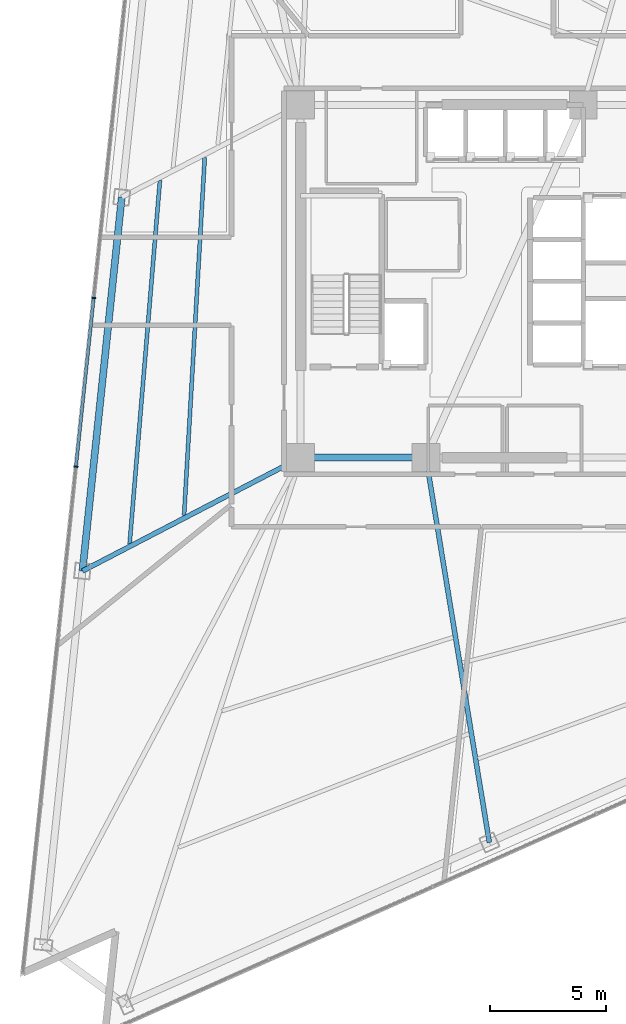
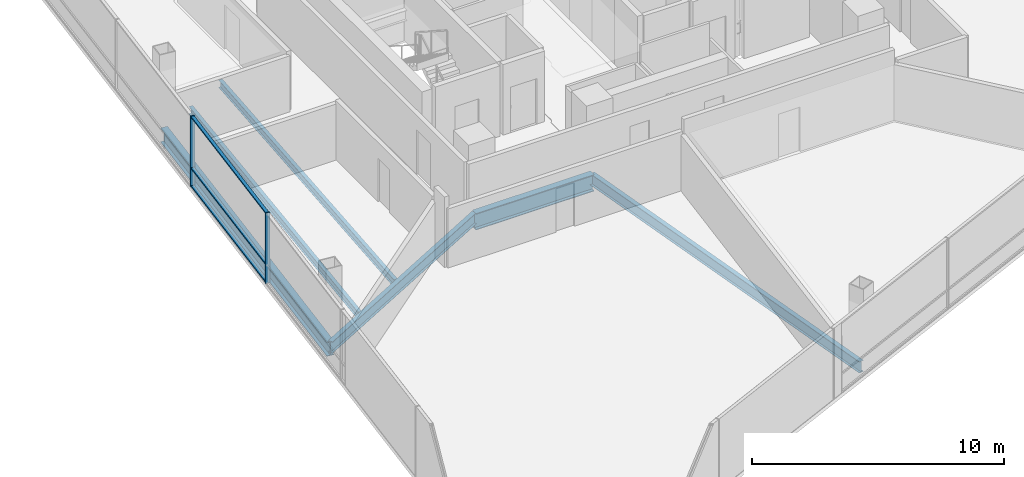
# One storey, part 4 of 17: 6 beams, 5 members, 1 element without a shape of its own.
"""IFC4 building model written with IfcOpenShell, lengths in metres."""

from ifc_helpers import new_model, si_unit, direction, frame, origin, origin_2d, place, context, subcontext, project, spatial, rectangle, i_section, extrude, material, layer, layer_set, material_profile, profile_set, type_object, element, aggregate, save


model = new_model("IFC4")

# Units and contexts
model_context = context("Model", 3, precision=1e-05, world=origin(), true_north=direction((0.0, 1.0)))
body_context = subcontext(model_context, "Body", "Model", "MODEL_VIEW")
ifc_project = project(units=[si_unit("LENGTHUNIT", "METRE"), si_unit("AREAUNIT", "SQUARE_METRE"), si_unit("VOLUMEUNIT", "CUBIC_METRE"), si_unit("PLANEANGLEUNIT", "RADIAN"), si_unit("MASSUNIT", "GRAM", prefix="KILO")], contexts=[model_context])

# Site, building, storey
site_placement = place(None, origin())
site = spatial("IfcSite", under=ifc_project, at=site_placement, CompositionType="ELEMENT")
building_placement = place(site_placement, origin())
building = spatial("IfcBuilding", under=site, at=building_placement, Name="Tharavind Bronze Gate", CompositionType="ELEMENT")
storey_placement = place(building_placement, frame((0.0, 0.0, 119.64990234375)))
storey = spatial("IfcBuildingStorey", under=building, at=storey_placement, Name="L30", CompositionType="ELEMENT", Elevation=119.64990234375)

# Curtain wall, members
ifc_material_1 = material(Name="Anodised Bronze Aluminium", Category="aluminium")
ifc_layer = layer(ifc_material_1, 0.219970703125)
ifc_layer_set = layer_set([ifc_layer], Name="Anodised Bronze Aluminium")
curtain_wall_type = type_object("IfcCurtainWallType", Name="UNITISED CURTAIN WALL LOWER OFFICE", PredefinedType="USERDEFINED", material=ifc_layer_set)
curtain_wall_placement = place(storey_placement, origin())
curtain_wall = element("IfcCurtainWall", 1, at=curtain_wall_placement, inside=storey, type_object=curtain_wall_type, Name="L30 unitised curtain wall lower office CW-L30-S1", ObjectType="UNITISED CURTAIN WALL", PredefinedType="USERDEFINED")
member_type_1 = type_object("IfcMemberType", Name="CURTAIN WALL BRONZE MULLION 65X180", PredefinedType="MULLION", material=ifc_material_1)
member_1_placement = place(storey_placement, frame((-17.82080078125, -0.71826171875, 0.0), z_axis=(0.0, 0.0, 1.0), x_axis=(-0.104526727499, -0.994522077803, 0.0)))
member_1 = element("IfcMember", 2, at=member_1_placement, type_object=member_type_1, Name="CW-L30-S1 mullion 4", PredefinedType="MULLION", context=body_context, shape_type="SweptSolid", body=[
    extrude(rectangle(XDim=0.06494140625, YDim=0.179931640625, at=origin_2d()), origin(), (0.0, 0.0, 1.0), 3.409912109375),
])
member_2_placement = place(storey_placement, frame((-18.58544921875, -7.991455078125, 0.0), z_axis=(0.0, 0.0, 1.0), x_axis=(-0.104526727499, -0.994522077803, 0.0)))
member_2 = element("IfcMember", 3, at=member_2_placement, type_object=member_type_1, Name="CW-L30-S1 mullion 5", PredefinedType="MULLION", context=body_context, shape_type="SweptSolid", body=[
    extrude(rectangle(XDim=0.06494140625, YDim=0.179931640625, at=origin_2d()), origin(), (0.0, 0.0, 1.0), 3.409912109375),
])
member_type_2 = type_object("IfcMemberType", Name="CURTAIN WALL BRONZE TRANSOM 65X140", PredefinedType="USERDEFINED", material=ifc_material_1)
member_3_placement = place(storey_placement, frame((-18.203125, -4.354736328125, 0.000244140625), z_axis=(0.0, 0.0, 1.0), x_axis=(-0.104526727499, -0.994522077803, 0.0)))
member_3 = element("IfcMember", 4, at=member_3_placement, type_object=member_type_2, Name="CW-L30-S1 transom TB4", ObjectType="TRANSOM", PredefinedType="USERDEFINED", context=body_context, shape_type="SweptSolid", body=[
    extrude(rectangle(XDim=7.26025390625, YDim=0.139892578125, at=origin_2d()), origin(), (0.0, 0.0, 1.0), 0.06494140625),
])
member_4_placement = place(storey_placement, frame((-18.203125, -4.354736328125, 0.86767578125), z_axis=(0.0, 0.0, 1.0), x_axis=(-0.104526727499, -0.994522077803, 0.0)))
member_4 = element("IfcMember", 5, at=member_4_placement, type_object=member_type_2, Name="CW-L30-S1 transom TS4", ObjectType="TRANSOM", PredefinedType="USERDEFINED", context=body_context, shape_type="SweptSolid", body=[
    extrude(rectangle(XDim=7.26025390625, YDim=0.139892578125, at=origin_2d()), origin(), (0.0, 0.0, 1.0), 0.06494140625),
])
member_5_placement = place(storey_placement, frame((-18.203125, -4.354736328125, 3.34521484375), z_axis=(0.0, 0.0, 1.0), x_axis=(-0.104526727499, -0.994522077803, 0.0)))
member_5 = element("IfcMember", 6, at=member_5_placement, type_object=member_type_2, Name="CW-L30-S1 transom TT4", ObjectType="TRANSOM", PredefinedType="USERDEFINED", context=body_context, shape_type="SweptSolid", body=[
    extrude(rectangle(XDim=7.26025390625, YDim=0.139892578125, at=origin_2d()), origin(), (0.0, 0.0, 1.0), 0.06494140625),
])
aggregate(curtain_wall, [member_1, member_2, member_3, member_4, member_5])

# Beams
ifc_material_2 = material(Name="Steel S355", Category="steel")
ifc_material_profile_1 = material_profile(ifc_material_2, i_section(OverallWidth=0.2099609375, OverallDepth=0.550048828125, WebThickness=0.010986328125, FlangeThickness=0.01708984375, at=origin_2d()), Name="IPE550")
ifc_profile_set_1 = profile_set([ifc_material_profile_1], Name="Steel S355")
beam_type_1 = type_object("IfcBeamType", Name="PRIMARY GIRDER IPE550", PredefinedType="USERDEFINED", material=ifc_profile_set_1)
beam_1_placement = place(storey_placement, frame((-18.303955078125, -12.488037109375, -0.46484375), z_axis=(0.887300514785, 0.46119171335, 0.0), x_axis=(-0.46119171335, 0.887300514785, 0.0)))
element("IfcBeam", 7, at=beam_1_placement, inside=storey, type_object=beam_type_1, Name="L30 primary girder ipe550 BM-L30-RAD03", ObjectType="GIRDER", PredefinedType="USERDEFINED", context=body_context, shape_type="SweptSolid", body=[
    extrude(i_section(OverallWidth=0.2099609375, OverallDepth=0.550048828125, WebThickness=0.010986328125, FlangeThickness=0.01708984375, at=origin_2d()), origin(), (0.0, 0.0, 1.0), 10.598388671875),
])
beam_2_placement = place(storey_placement, frame((-0.766357421875, -24.18798828125, -0.46484375), z_axis=(-0.162604251404, 0.986691368882, 0.0), x_axis=(-0.986691368882, -0.162604251404, 0.0)))
element("IfcBeam", 8, at=beam_2_placement, inside=storey, type_object=beam_type_1, Name="L30 primary girder ipe550 BM-L30-RAD06", ObjectType="GIRDER", PredefinedType="USERDEFINED", context=body_context, shape_type="SweptSolid", body=[
    extrude(i_section(OverallWidth=0.2099609375, OverallDepth=0.550048828125, WebThickness=0.010986328125, FlangeThickness=0.01708984375, at=origin_2d()), origin(), (0.0, 0.0, 1.0), 16.8115234375),
])
ifc_material_profile_2 = material_profile(ifc_material_2, i_section(OverallWidth=0.300048828125, OverallDepth=0.699951171875, WebThickness=0.01708984375, FlangeThickness=0.031982421875, at=origin_2d()), Name="HE700B")
ifc_profile_set_2 = profile_set([ifc_material_profile_2], Name="Steel S355")
beam_type_2 = type_object("IfcBeamType", Name="RING GIRDER HE700B", PredefinedType="USERDEFINED", material=ifc_profile_set_2)
beam_3_placement = place(storey_placement, frame((-16.610595703125, 3.62158203125, -0.539794921875), z_axis=(-0.104538854147, -0.994520803188, 0.0), x_axis=(0.994520803188, -0.104538854147, 0.0)))
element("IfcBeam", 9, at=beam_3_placement, inside=storey, type_object=beam_type_2, Name="L30 ring girder he700b BM-L30-PRG02", ObjectType="GIRDER", PredefinedType="USERDEFINED", context=body_context, shape_type="SweptSolid", body=[
    extrude(i_section(OverallWidth=0.300048828125, OverallDepth=0.699951171875, WebThickness=0.01708984375, FlangeThickness=0.031982421875, at=origin_2d()), origin(), (0.0, 0.0, 1.0), 16.198486328125),
])
ifc_material_profile_3 = material_profile(ifc_material_2, i_section(OverallWidth=0.300048828125, OverallDepth=0.800048828125, WebThickness=0.017578125, FlangeThickness=0.032958984375, at=origin_2d()), Name="HE800B")
ifc_profile_set_3 = profile_set([ifc_material_profile_3], Name="Steel S355")
beam_type_3 = type_object("IfcBeamType", Name="RING GIRDER HE800B", PredefinedType="USERDEFINED", material=ifc_profile_set_3)
beam_4_placement = place(storey_placement, frame((-8.89990234375, -7.60009765625, -0.58984375), z_axis=(1.0, 0.0, 0.0), x_axis=(0.0, 1.0, 0.0)))
element("IfcBeam", 10, at=beam_4_placement, inside=storey, type_object=beam_type_3, Name="L30 ring girder he800b BM-L30-CR1", ObjectType="GIRDER", PredefinedType="USERDEFINED", context=body_context, shape_type="SweptSolid", body=[
    extrude(i_section(OverallWidth=0.300048828125, OverallDepth=0.800048828125, WebThickness=0.017578125, FlangeThickness=0.032958984375, at=origin_2d()), origin(), (0.0, 0.0, 1.0), 5.39990234375),
])
ifc_material_profile_4 = material_profile(ifc_material_2, i_section(OverallWidth=0.169921875, OverallDepth=0.360107421875, WebThickness=0.008056640625, FlangeThickness=0.0126953125, at=origin_2d()), Name="IPE360")
ifc_profile_set_4 = profile_set([ifc_material_profile_4], Name="Steel S355")
beam_type_4 = type_object("IfcBeamType", Name="SECONDARY FLOOR JOIST IPE360", PredefinedType="JOIST", material=ifc_profile_set_4)
beam_5_placement = place(storey_placement, frame((-13.032470703125, 5.345703125, -0.369873046875), z_axis=(-0.057653739609, -0.998336639771, 0.0), x_axis=(0.998336639771, -0.057653739609, 0.0)))
element("IfcBeam", 11, at=beam_5_placement, inside=storey, type_object=beam_type_4, Name="L30 secondary floor joist ipe360 BM-L30-JSTA02", PredefinedType="JOIST", context=body_context, shape_type="SweptSolid", body=[
    extrude(i_section(OverallWidth=0.169921875, OverallDepth=0.360107421875, WebThickness=0.008056640625, FlangeThickness=0.0126953125, at=origin_2d()), origin(), (0.0, 0.0, 1.0), 15.46044921875),
])
beam_6_placement = place(storey_placement, frame((-14.96337890625, 4.349609375, -0.369873046875), z_axis=(-0.083246063349, -0.996529022626, 0.0), x_axis=(0.996529022626, -0.083246063349, 0.0)))
element("IfcBeam", 12, at=beam_6_placement, inside=storey, type_object=beam_type_4, Name="L30 secondary floor joist ipe360 BM-L30-JSTB02", PredefinedType="JOIST", context=body_context, shape_type="SweptSolid", body=[
    extrude(i_section(OverallWidth=0.169921875, OverallDepth=0.360107421875, WebThickness=0.008056640625, FlangeThickness=0.0126953125, at=origin_2d()), origin(), (0.0, 0.0, 1.0), 15.713623046875),
])

save(model, "model.ifc")
